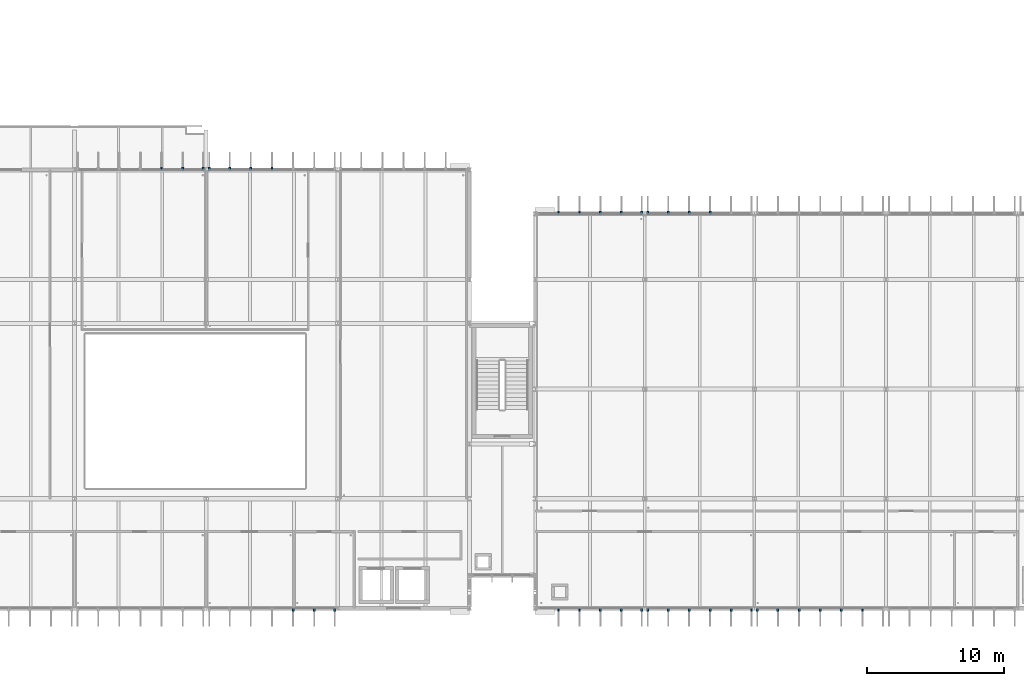
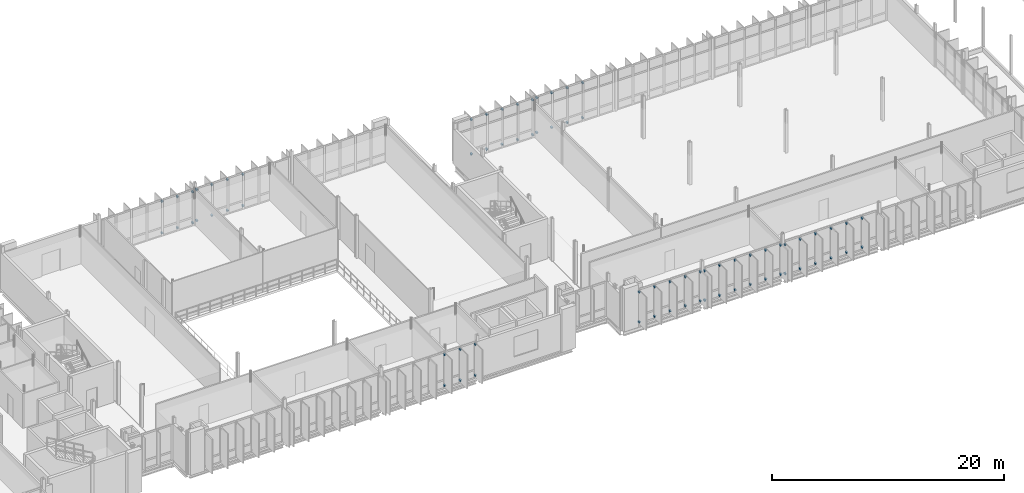
# One storey, part 81 of 93: 72 discrete accessories.
"""IFC4 building model written with IfcOpenShell, lengths in metres."""

from ifc_helpers import new_model, si_unit, direction, frame, origin, origin_2d, place, context, subcontext, project, spatial, rectangle, extrude, material, type_object, element, save


model = new_model("IFC4")

# Units and contexts
model_context = context("Model", 3, precision=1e-05, world=origin(), true_north=direction((0.0, 1.0)))
body_context = subcontext(model_context, "Body", "Model", "MODEL_VIEW")
ifc_project = project(units=[si_unit("LENGTHUNIT", "METRE"), si_unit("AREAUNIT", "SQUARE_METRE"), si_unit("VOLUMEUNIT", "CUBIC_METRE"), si_unit("PLANEANGLEUNIT", "RADIAN"), si_unit("MASSUNIT", "GRAM", prefix="KILO")], contexts=[model_context])

# Site, building, storey
site_placement = place(None, origin())
site = spatial("IfcSite", under=ifc_project, at=site_placement, CompositionType="ELEMENT")
building_placement = place(site_placement, origin())
building = spatial("IfcBuilding", under=site, at=building_placement, Name="Dunescarp Central Library", CompositionType="ELEMENT")
storey_placement = place(building_placement, frame((0.0, 0.0, 14.10009765625)))
storey = spatial("IfcBuildingStorey", under=building, at=storey_placement, Name="L03", CompositionType="ELEMENT", Elevation=14.10009765625)

# Discrete accessories
ifc_material = material(Name="Stainless steel Grade 316L", Category="steel")
discrete_accessory_type = type_object("IfcDiscreteAccessoryType", Name="ARC-ACC-BRK", PredefinedType="BRACKET", material=ifc_material)
for number, where, z_axis, x_axis, name in (
    (1, (66.985107421875, 4.719970703125, 0.27685546875), (0.0, 0.0, 1.0), (0.0, -1.0, 0.0), "Fin bracket BRK-FIN-L03-0437-B"),
    (2, (66.985107421875, 4.719970703125, 3.53173828125), (0.0, 0.0, 1.0), (0.0, -1.0, 0.0), "Fin bracket BRK-FIN-L03-0437-T"),
    (3, (65.48291015625, 4.719970703125, 0.2900390625), (0.0, 0.0, 1.0), (0.0, -1.0, 0.0), "Fin bracket BRK-FIN-L03-0438-B"),
    (4, (65.48291015625, 4.719970703125, 3.53173828125), (0.0, 0.0, 1.0), (0.0, -1.0, 0.0), "Fin bracket BRK-FIN-L03-0438-T"),
    (5, (63.94189453125, 4.719970703125, 0.27392578125), (0.0, 0.0, 1.0), (0.0, -1.0, 0.0), "Fin bracket BRK-FIN-L03-0439-B"),
    (6, (63.94189453125, 4.719970703125, 3.53173828125), (0.0, 0.0, 1.0), (0.0, -1.0, 0.0), "Fin bracket BRK-FIN-L03-0439-T"),
    (7, (54.342041015625, 36.8798828125, 0.18994140625), (0.0, 0.0, 1.0), (0.0, 1.0, 0.0), "Fin bracket BRK-FIN-L03-0448-B"),
    (8, (54.342041015625, 36.8798828125, 3.52099609375), (0.0, 0.0, 1.0), (0.0, 1.0, 0.0), "Fin bracket BRK-FIN-L03-0448-T"),
    (9, (55.883056640625, 36.8798828125, 0.18994140625), (0.0, 0.0, 1.0), (0.0, 1.0, 0.0), "Fin bracket BRK-FIN-L03-0449-B"),
    (10, (55.883056640625, 36.8798828125, 3.47119140625), (0.0, 0.0, 1.0), (0.0, 1.0, 0.0), "Fin bracket BRK-FIN-L03-0449-T"),
    (11, (57.385009765625, 36.8798828125, 0.18994140625), (0.0, 0.0, 1.0), (0.0, 1.0, 0.0), "Fin bracket BRK-FIN-L03-0450-B"),
    (12, (57.385009765625, 36.8798828125, 3.43798828125), (0.0, 0.0, 1.0), (0.0, 1.0, 0.0), "Fin bracket BRK-FIN-L03-0450-T"),
    (13, (57.81494140625, 36.8798828125, 0.27685546875), (0.0, 0.0, 1.0), (0.0, 1.0, 0.0), "Fin bracket BRK-FIN-L03-0451-B"),
    (14, (57.81494140625, 36.8798828125, 3.53173828125), (0.0, 0.0, 1.0), (0.0, 1.0, 0.0), "Fin bracket BRK-FIN-L03-0451-T"),
    (15, (59.31689453125, 36.8798828125, 0.2900390625), (0.0, 0.0, 1.0), (0.0, 1.0, 0.0), "Fin bracket BRK-FIN-L03-0452-B"),
    (16, (59.31689453125, 36.8798828125, 3.53173828125), (0.0, 0.0, 1.0), (0.0, 1.0, 0.0), "Fin bracket BRK-FIN-L03-0452-T"),
    (17, (60.85791015625, 36.8798828125, 0.27392578125), (0.0, 0.0, 1.0), (0.0, 1.0, 0.0), "Fin bracket BRK-FIN-L03-0453-B"),
    (18, (60.85791015625, 36.8798828125, 3.53173828125), (0.0, 0.0, 1.0), (0.0, 1.0, 0.0), "Fin bracket BRK-FIN-L03-0453-T"),
    (19, (62.39990234375, 36.8798828125, 0.23291015625), (0.0, 0.0, 1.0), (0.0, 1.0, 0.0), "Fin bracket BRK-FIN-L03-0454-B"),
    (20, (62.39990234375, 36.8798828125, 3.53173828125), (0.0, 0.0, 1.0), (0.0, 1.0, 0.0), "Fin bracket BRK-FIN-L03-0454-T"),
    (21, (89.385009765625, 4.719970703125, 0.27685546875), (0.0, 0.0, 1.0), (0.0, -1.0, 0.0), "Fin bracket BRK-FIN-L03-0664-B"),
    (22, (89.385009765625, 4.719970703125, 3.3447265625), (0.0, 0.0, 1.0), (0.0, -1.0, 0.0), "Fin bracket BRK-FIN-L03-0664-T"),
    (23, (87.89501953125, 4.719970703125, 0.2900390625), (0.0, 0.0, 1.0), (0.0, -1.0, 0.0), "Fin bracket BRK-FIN-L03-0665-B"),
    (24, (87.89501953125, 4.719970703125, 3.3447265625), (0.0, 0.0, 1.0), (0.0, -1.0, 0.0), "Fin bracket BRK-FIN-L03-0665-T"),
    (25, (86.364990234375, 4.719970703125, 0.27392578125), (0.0, 0.0, 1.0), (0.0, -1.0, 0.0), "Fin bracket BRK-FIN-L03-0666-B"),
    (26, (86.364990234375, 4.719970703125, 3.3447265625), (0.0, 0.0, 1.0), (0.0, -1.0, 0.0), "Fin bracket BRK-FIN-L03-0666-T"),
    (27, (84.8349609375, 4.719970703125, 0.23291015625), (0.0, 0.0, 1.0), (0.0, -1.0, 0.0), "Fin bracket BRK-FIN-L03-0667-B"),
    (28, (84.8349609375, 4.719970703125, 3.3447265625), (0.0, 0.0, 1.0), (0.0, -1.0, 0.0), "Fin bracket BRK-FIN-L03-0667-T"),
    (29, (83.304931640625, 4.719970703125, 0.18994140625), (0.0, 0.0, 1.0), (0.0, -1.0, 0.0), "Fin bracket BRK-FIN-L03-0668-B"),
    (30, (83.304931640625, 4.719970703125, 3.333984375), (0.0, 0.0, 1.0), (0.0, -1.0, 0.0), "Fin bracket BRK-FIN-L03-0668-T"),
    (31, (97.385009765625, 4.719970703125, 0.27685546875), (0.0, 0.0, 1.0), (0.0, -1.0, 0.0), "Fin bracket BRK-FIN-L03-0669-B"),
    (32, (97.385009765625, 4.719970703125, 3.3447265625), (0.0, 0.0, 1.0), (0.0, -1.0, 0.0), "Fin bracket BRK-FIN-L03-0669-T"),
    (33, (95.89501953125, 4.719970703125, 0.2900390625), (0.0, 0.0, 1.0), (0.0, -1.0, 0.0), "Fin bracket BRK-FIN-L03-0670-B"),
    (34, (95.89501953125, 4.719970703125, 3.3447265625), (0.0, 0.0, 1.0), (0.0, -1.0, 0.0), "Fin bracket BRK-FIN-L03-0670-T"),
    (35, (94.364990234375, 4.719970703125, 0.27392578125), (0.0, 0.0, 1.0), (0.0, -1.0, 0.0), "Fin bracket BRK-FIN-L03-0671-B"),
    (36, (94.364990234375, 4.719970703125, 3.3447265625), (0.0, 0.0, 1.0), (0.0, -1.0, 0.0), "Fin bracket BRK-FIN-L03-0671-T"),
    (37, (92.8349609375, 4.719970703125, 0.23291015625), (0.0, 0.0, 1.0), (0.0, -1.0, 0.0), "Fin bracket BRK-FIN-L03-0672-B"),
    (38, (92.8349609375, 4.719970703125, 3.3447265625), (0.0, 0.0, 1.0), (0.0, -1.0, 0.0), "Fin bracket BRK-FIN-L03-0672-T"),
    (39, (91.304931640625, 4.719970703125, 0.18994140625), (0.0, 0.0, 1.0), (0.0, -1.0, 0.0), "Fin bracket BRK-FIN-L03-0673-B"),
    (40, (91.304931640625, 4.719970703125, 3.333984375), (0.0, 0.0, 1.0), (0.0, -1.0, 0.0), "Fin bracket BRK-FIN-L03-0673-T"),
    (41, (89.81494140625, 4.719970703125, 0.18994140625), (0.0, 0.0, 1.0), (0.0, -1.0, 0.0), "Fin bracket BRK-FIN-L03-0674-B"),
    (42, (89.81494140625, 4.719970703125, 3.2841796875), (0.0, 0.0, 1.0), (0.0, -1.0, 0.0), "Fin bracket BRK-FIN-L03-0674-T"),
    (43, (105.48291015625, 4.719970703125, 0.2900390625), (0.0, 0.0, 1.0), (0.0, -1.0, 0.0), "Fin bracket BRK-FIN-L03-0676-B"),
    (44, (105.48291015625, 4.719970703125, 3.3447265625), (0.0, 0.0, 1.0), (0.0, -1.0, 0.0), "Fin bracket BRK-FIN-L03-0676-T"),
    (45, (103.94189453125, 4.719970703125, 0.27392578125), (0.0, 0.0, 1.0), (0.0, -1.0, 0.0), "Fin bracket BRK-FIN-L03-0677-B"),
    (46, (103.94189453125, 4.719970703125, 3.3447265625), (0.0, 0.0, 1.0), (0.0, -1.0, 0.0), "Fin bracket BRK-FIN-L03-0677-T"),
    (47, (102.39990234375, 4.719970703125, 0.23291015625), (0.0, 0.0, 1.0), (0.0, -1.0, 0.0), "Fin bracket BRK-FIN-L03-0678-B"),
    (48, (102.39990234375, 4.719970703125, 3.3447265625), (0.0, 0.0, 1.0), (0.0, -1.0, 0.0), "Fin bracket BRK-FIN-L03-0678-T"),
    (49, (100.85791015625, 4.719970703125, 0.18994140625), (0.0, 0.0, 1.0), (0.0, -1.0, 0.0), "Fin bracket BRK-FIN-L03-0679-B"),
    (50, (100.85791015625, 4.719970703125, 3.333984375), (0.0, 0.0, 1.0), (0.0, -1.0, 0.0), "Fin bracket BRK-FIN-L03-0679-T"),
    (51, (99.31689453125, 4.719970703125, 0.18994140625), (0.0, 0.0, 1.0), (0.0, -1.0, 0.0), "Fin bracket BRK-FIN-L03-0680-B"),
    (52, (99.31689453125, 4.719970703125, 3.2841796875), (0.0, 0.0, 1.0), (0.0, -1.0, 0.0), "Fin bracket BRK-FIN-L03-0680-T"),
    (53, (97.81494140625, 4.719970703125, 0.18994140625), (0.0, 0.0, 1.0), (0.0, -1.0, 0.0), "Fin bracket BRK-FIN-L03-0681-B"),
    (54, (97.81494140625, 4.719970703125, 3.2509765625), (0.0, 0.0, 1.0), (0.0, -1.0, 0.0), "Fin bracket BRK-FIN-L03-0681-T"),
    (55, (83.304931640625, 33.679931640625, 0.2900390625), (0.0, 0.0, 1.0), (0.0, 1.0, 0.0), "Fin bracket BRK-FIN-L03-0689-B"),
    (56, (83.304931640625, 33.679931640625, 3.919921875), (0.0, 0.0, 1.0), (0.0, 1.0, 0.0), "Fin bracket BRK-FIN-L03-0689-T"),
    (57, (84.8349609375, 33.679931640625, 0.27392578125), (0.0, 0.0, 1.0), (0.0, 1.0, 0.0), "Fin bracket BRK-FIN-L03-0690-B"),
    (58, (84.8349609375, 33.679931640625, 3.919921875), (0.0, 0.0, 1.0), (0.0, 1.0, 0.0), "Fin bracket BRK-FIN-L03-0690-T"),
    (59, (86.364990234375, 33.679931640625, 0.23291015625), (0.0, 0.0, 1.0), (0.0, 1.0, 0.0), "Fin bracket BRK-FIN-L03-0691-B"),
    (60, (86.364990234375, 33.679931640625, 3.919921875), (0.0, 0.0, 1.0), (0.0, 1.0, 0.0), "Fin bracket BRK-FIN-L03-0691-T"),
    (61, (87.89501953125, 33.679931640625, 0.18994140625), (0.0, 0.0, 1.0), (0.0, 1.0, 0.0), "Fin bracket BRK-FIN-L03-0692-B"),
    (62, (87.89501953125, 33.679931640625, 3.9091796875), (0.0, 0.0, 1.0), (0.0, 1.0, 0.0), "Fin bracket BRK-FIN-L03-0692-T"),
    (63, (89.385009765625, 33.679931640625, 0.18994140625), (0.0, 0.0, 1.0), (0.0, 1.0, 0.0), "Fin bracket BRK-FIN-L03-0693-B"),
    (64, (89.385009765625, 33.679931640625, 3.85888671875), (0.0, 0.0, 1.0), (0.0, 1.0, 0.0), "Fin bracket BRK-FIN-L03-0693-T"),
    (65, (89.81494140625, 33.679931640625, 0.27685546875), (0.0, 0.0, 1.0), (0.0, 1.0, 0.0), "Fin bracket BRK-FIN-L03-0694-B"),
    (66, (89.81494140625, 33.679931640625, 3.919921875), (0.0, 0.0, 1.0), (0.0, 1.0, 0.0), "Fin bracket BRK-FIN-L03-0694-T"),
    (67, (91.304931640625, 33.679931640625, 0.2900390625), (0.0, 0.0, 1.0), (0.0, 1.0, 0.0), "Fin bracket BRK-FIN-L03-0695-B"),
    (68, (91.304931640625, 33.679931640625, 3.919921875), (0.0, 0.0, 1.0), (0.0, 1.0, 0.0), "Fin bracket BRK-FIN-L03-0695-T"),
    (69, (92.8349609375, 33.679931640625, 0.27392578125), (0.0, 0.0, 1.0), (0.0, 1.0, 0.0), "Fin bracket BRK-FIN-L03-0696-B"),
    (70, (92.8349609375, 33.679931640625, 3.919921875), (0.0, 0.0, 1.0), (0.0, 1.0, 0.0), "Fin bracket BRK-FIN-L03-0696-T"),
    (71, (94.364990234375, 33.679931640625, 0.23291015625), (0.0, 0.0, 1.0), (0.0, 1.0, 0.0), "Fin bracket BRK-FIN-L03-0697-B"),
    (72, (94.364990234375, 33.679931640625, 3.919921875), (0.0, 0.0, 1.0), (0.0, 1.0, 0.0), "Fin bracket BRK-FIN-L03-0697-T"),
):
    element("IfcDiscreteAccessory", number, at=place(storey_placement, frame(where, z_axis=z_axis, x_axis=x_axis)), inside=storey, type_object=discrete_accessory_type, Name=name, PredefinedType="BRACKET", context=body_context, shape_type="SweptSolid", body=[
        extrude(rectangle(XDim=0.219970703125, YDim=0.139892578125, at=origin_2d()), origin(), (0.0, 0.0, 1.0), 0.139892578125),
    ])

save(model, "model.ifc")
